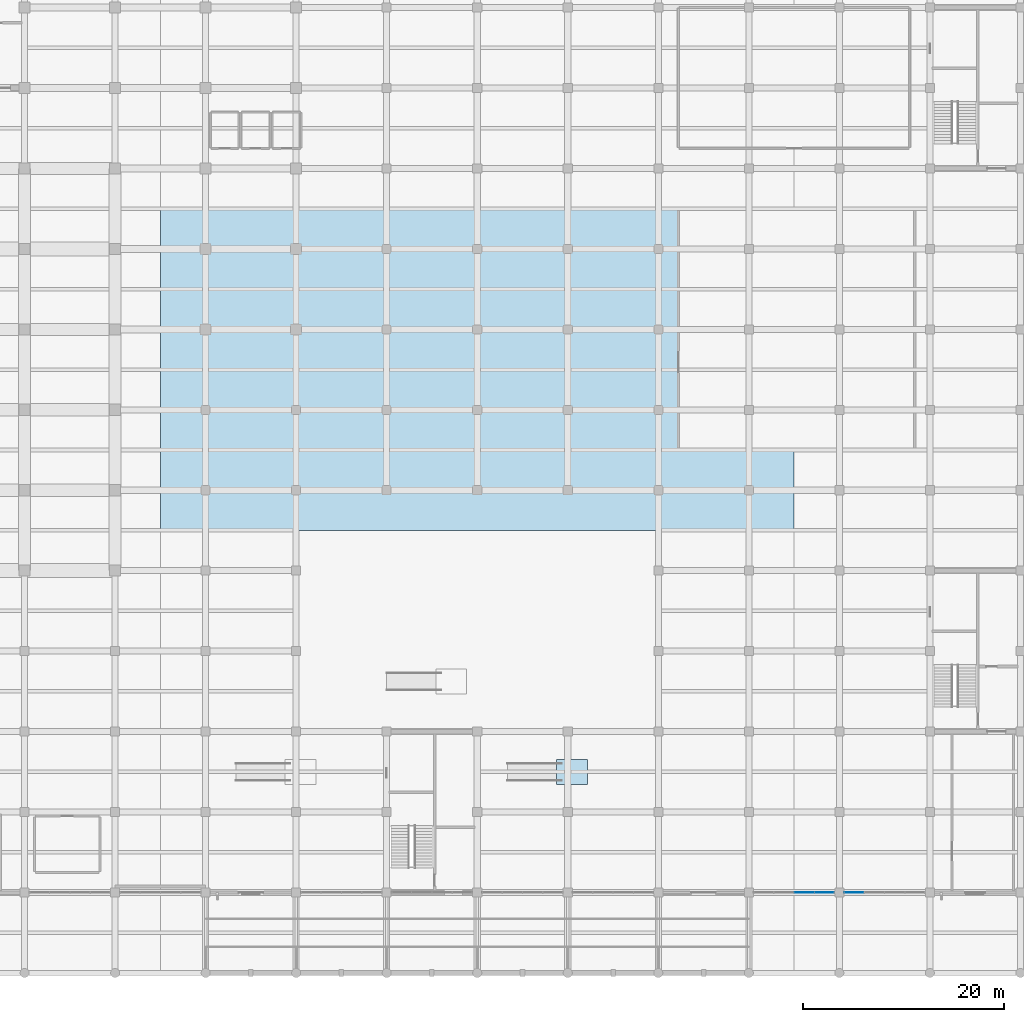
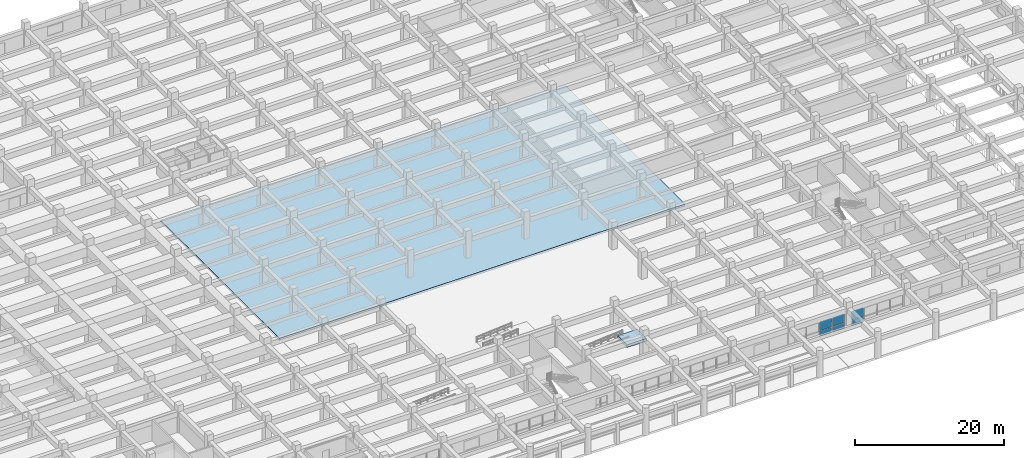
# One storey, part 18 of 40: 6 plates, 2 slabs, 3 elements without a shape of their own.
"""IFC4 building model written with IfcOpenShell, lengths in metres."""

from ifc_helpers import new_model, si_unit, direction, frame, frame_2d, origin, place, context, subcontext, project, spatial, polyline, rectangle, outline, extrude, material, layer, layer_set, type_object, element, aggregate, save


model = new_model("IFC4")

# Units and contexts
model_context = context("Model", 3, precision=1e-05, world=origin(), true_north=direction((0.0, 1.0)))
body_context = subcontext(model_context, "Body", "Model", "MODEL_VIEW")
ifc_project = project(units=[si_unit("LENGTHUNIT", "METRE"), si_unit("AREAUNIT", "SQUARE_METRE"), si_unit("VOLUMEUNIT", "CUBIC_METRE"), si_unit("PLANEANGLEUNIT", "RADIAN"), si_unit("MASSUNIT", "GRAM", prefix="KILO")], contexts=[model_context])

# Site, building, storey
site_placement = place(None, origin())
site = spatial("IfcSite", under=ifc_project, at=site_placement, CompositionType="ELEMENT")
building_placement = place(site_placement, origin())
building = spatial("IfcBuilding", under=site, at=building_placement, Name="Zaverband Oceanarium and Marine Research Institute", CompositionType="ELEMENT")
storey_placement = place(building_placement, origin())
storey = spatial("IfcBuildingStorey", under=building, at=storey_placement, Name="L00", CompositionType="ELEMENT", Elevation=0.0)

# Curtain wall, plates
ifc_material_1 = material(Name="Thermally broken anodized aluminium and solar-control glass", Category="aluminium")
curtain_wall_type = type_object("IfcCurtainWallType", Name="CW-UNIT-1800", PredefinedType="NOTDEFINED", material=ifc_material_1)
curtain_wall_1_placement = place(storey_placement, origin())
curtain_wall_1 = element("IfcCurtainWall", 1, at=curtain_wall_1_placement, inside=storey, type_object=curtain_wall_type, Name="Unitised glazed curtain wall CW-007", PredefinedType="NOTDEFINED")
ifc_material_2 = material(Name="Low-E double-glazed solar-control glass", Category="glass")
ifc_layer_1 = layer(ifc_material_2, 0.035888671875, Name="Low-E double-glazed solar-control glass")
ifc_layer_set_1 = layer_set([ifc_layer_1], Name="Low-E double-glazed solar-control glass")
plate_type_1 = type_object("IfcPlateType", Name="CWP-1765x1458", PredefinedType="CURTAIN_PANEL", material=ifc_layer_set_1)
plate_1_placement = place(storey_placement, frame((121.580078125, 8.0, 0.991943359375), z_axis=(0.0, 0.0, 1.0), x_axis=(1.0, 0.0, 0.0)))
plate_1 = element("IfcPlate", 2, at=plate_1_placement, type_object=plate_type_1, Name="Glazed curtain wall panel CWP-1765x1458", PredefinedType="CURTAIN_PANEL", context=body_context, shape_type="SweptSolid", body=[
    extrude(rectangle(XDim=1.8623046875, YDim=0.035888671875, at=frame_2d((0.93115234375, 0.0))), origin(), (0.0, 0.0, 1.0), 1.4580078125),
])
plate_2_placement = place(storey_placement, frame((123.6025390625, 8.0, 0.991943359375), z_axis=(0.0, 0.0, 1.0), x_axis=(1.0, 0.0, 0.0)))
plate_2 = element("IfcPlate", 3, at=plate_2_placement, type_object=plate_type_1, Name="Glazed curtain wall panel CWP-1765x1458", PredefinedType="CURTAIN_PANEL", context=body_context, shape_type="SweptSolid", body=[
    extrude(rectangle(XDim=1.862548828125, YDim=0.035888671875, at=frame_2d((0.93115234375, 0.0))), origin(), (0.0, 0.0, 1.0), 1.4580078125),
])

# Curtain wall, plate
curtain_wall_2_placement = place(storey_placement, origin())
curtain_wall_2 = element("IfcCurtainWall", 4, at=curtain_wall_2_placement, inside=storey, type_object=curtain_wall_type, Name="Unitised glazed curtain wall CW-008", PredefinedType="NOTDEFINED")
plate_3_placement = place(storey_placement, frame((126.534912109375, 8.0, 0.991943359375), z_axis=(0.0, 0.0, 1.0), x_axis=(1.0, 0.0, 0.0)))
plate_3 = element("IfcPlate", 5, at=plate_3_placement, type_object=plate_type_1, Name="Glazed curtain wall panel CWP-1765x1458", PredefinedType="CURTAIN_PANEL", context=body_context, shape_type="SweptSolid", body=[
    extrude(rectangle(XDim=1.862548828125, YDim=0.035888671875, at=frame_2d((0.93115234375, 0.0))), origin(), (0.0, 0.0, 1.0), 1.4580078125),
])

# Plate
ifc_layer_2 = layer(ifc_material_2, 0.033935546875, Name="Low-E double-glazed solar-control glass")
ifc_layer_set_2 = layer_set([ifc_layer_2], Name="Low-E double-glazed solar-control glass")
plate_type_2 = type_object("IfcPlateType", Name="CWP-1765x872", PredefinedType="CURTAIN_PANEL", material=ifc_layer_set_2)
plate_4_placement = place(storey_placement, frame((121.580078125, 8.0, 0.050048828125), z_axis=(0.0, 0.0, 1.0), x_axis=(1.0, 0.0, 0.0)))
plate_4 = element("IfcPlate", 6, at=plate_4_placement, type_object=plate_type_2, Name="Glazed curtain wall panel CWP-1765x872", PredefinedType="CURTAIN_PANEL", context=body_context, shape_type="SweptSolid", body=[
    extrude(rectangle(XDim=1.8623046875, YDim=0.033935546875, at=frame_2d((0.93115234375, 0.0))), origin(), (0.0, 0.0, 1.0), 0.8720703125),
])

plate_5_placement = place(storey_placement, frame((123.6025390625, 8.0, 0.050048828125), z_axis=(0.0, 0.0, 1.0), x_axis=(1.0, 0.0, 0.0)))
plate_5 = element("IfcPlate", 7, at=plate_5_placement, type_object=plate_type_2, Name="Glazed curtain wall panel CWP-1765x872", PredefinedType="CURTAIN_PANEL", context=body_context, shape_type="SweptSolid", body=[
    extrude(rectangle(XDim=1.862548828125, YDim=0.033935546875, at=frame_2d((0.93115234375, 0.0))), origin(), (0.0, 0.0, 1.0), 0.8720703125),
])

aggregate(curtain_wall_1, [plate_4, plate_1, plate_5, plate_2])

plate_6_placement = place(storey_placement, frame((126.534912109375, 8.0, 0.050048828125), z_axis=(0.0, 0.0, 1.0), x_axis=(1.0, 0.0, 0.0)))
plate_6 = element("IfcPlate", 8, at=plate_6_placement, type_object=plate_type_2, Name="Glazed curtain wall panel CWP-1765x872", PredefinedType="CURTAIN_PANEL", context=body_context, shape_type="SweptSolid", body=[
    extrude(rectangle(XDim=1.862548828125, YDim=0.033935546875, at=frame_2d((0.93115234375, 0.0))), origin(), (0.0, 0.0, 1.0), 0.8720703125),
])

aggregate(curtain_wall_2, [plate_6, plate_3])

# Ramp, slab
ifc_material_3 = material(Name="Concrete C40/50", Category="concrete")
ifc_layer_3 = layer(ifc_material_3, 0.219970703125, Name="Concrete C40/50")
ifc_layer_set_3 = layer_set([ifc_layer_3], Name="Concrete C40/50")
ramp_type = type_object("IfcRampType", Name="RMP-PED-1800", PredefinedType="STRAIGHT_RUN_RAMP", material=ifc_layer_set_3)
ramp_placement = place(storey_placement, origin())
ramp = element("IfcRamp", 9, at=ramp_placement, inside=storey, type_object=ramp_type, Name="Accessible Viewing Gallery Ramp PR-05", PredefinedType="STRAIGHT_RUN_RAMP")
ifc_layer_4 = layer(ifc_material_3, 0.449951171875, Name="Concrete C40/50")
ifc_layer_set_4 = layer_set([ifc_layer_4], Name="Concrete C40/50")
slab_type_1 = type_object("IfcSlabType", Name="SLB-LND-450", PredefinedType="LANDING", material=ifc_layer_set_4)
slab_1_placement = place(storey_placement, origin())
slab_1 = element("IfcSlab", 10, at=slab_1_placement, type_object=slab_type_1, Name="Stair / ramp landing slab SLB-LND-450", PredefinedType="LANDING", context=body_context, shape_type="SweptSolid", body=[
    extrude(outline(polyline([(97.89990234375, 18.75), (100.949951171875, 18.75), (100.949951171875, 21.25), (97.89990234375, 21.25), (97.89990234375, 18.75)])), origin(), (0.0, 0.0, 1.0), 0.449951171875),
])
aggregate(ramp, [slab_1])

# Slab
ifc_layer_5 = layer(ifc_material_3, 0.35009765625, Name="Concrete C40/50")
ifc_layer_set_5 = layer_set([ifc_layer_5], Name="Concrete C40/50")
slab_type_2 = type_object("IfcSlabType", Name="SLB-PLZ-350", PredefinedType="FLOOR", material=ifc_layer_set_5)
slab_2_placement = place(storey_placement, frame((0.0, 0.0, -0.35009765625)))
element("IfcSlab", 11, at=slab_2_placement, inside=storey, type_object=slab_type_2, Name="Suspended floor slab SLB-PLZ-350", PredefinedType="FLOOR", context=body_context, shape_type="SweptSolid", body=[
    extrude(outline(polyline([(58.514892578125, 75.985107421875), (121.485107421875, 75.985107421875), (121.485107421875, 44.014892578125), (58.514892578125, 44.014892578125), (58.514892578125, 75.985107421875)])), origin(), (0.0, 0.0, 1.0), 0.35009765625),
])

save(model, "model.ifc")
